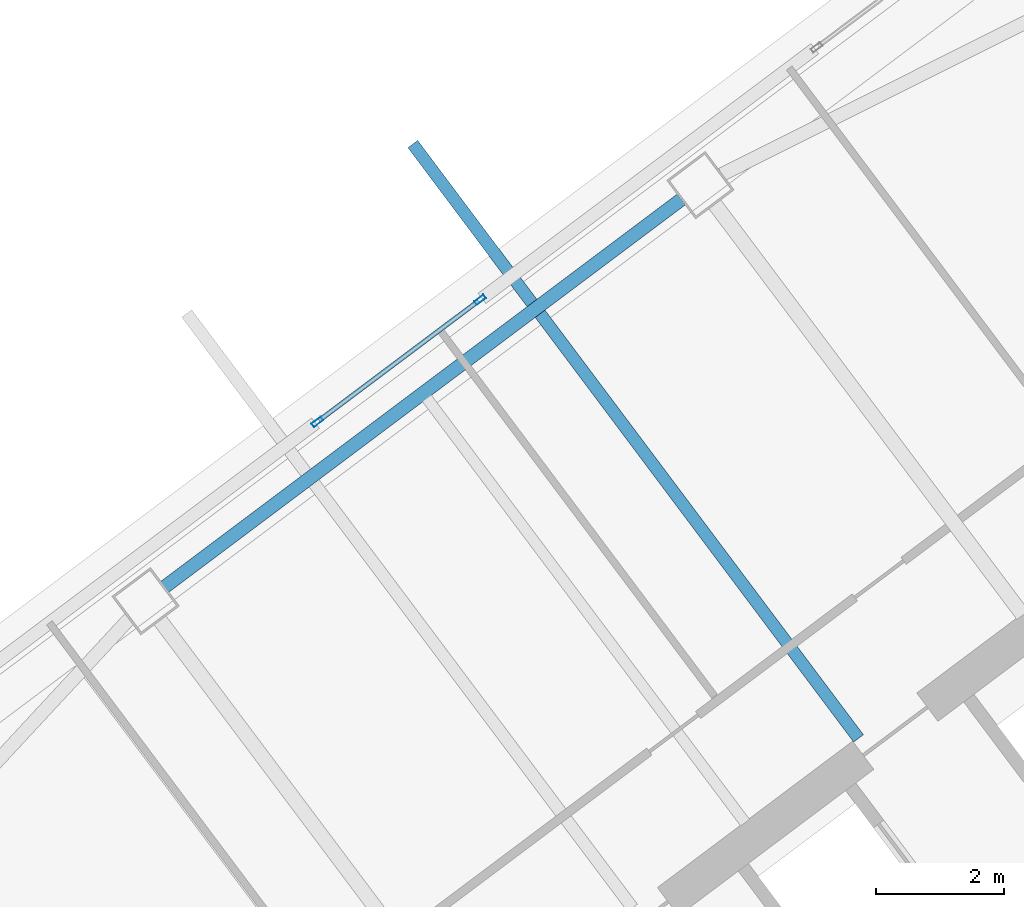
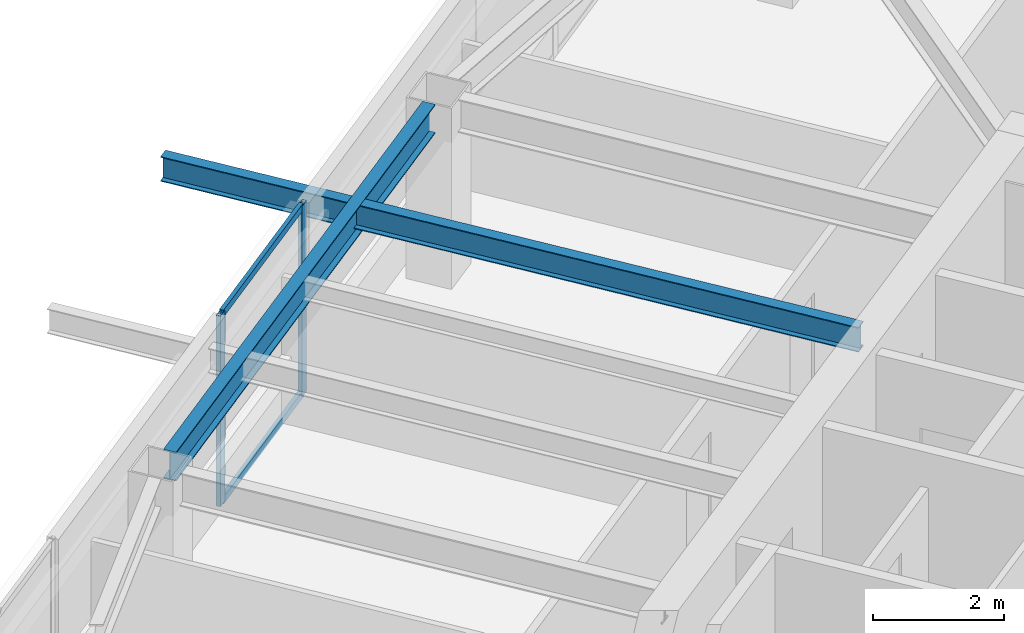
# One storey, part 28 of 43: 4 members, 2 beams, 1 element without a shape of its own.
"""IFC4 building model written with IfcOpenShell, lengths in metres."""

from ifc_helpers import new_model, si_unit, direction, frame, origin, origin_2d, place, context, subcontext, project, spatial, hollow_rectangle, i_section, extrude, material, material_profile, profile_set, type_object, element, aggregate, save


model = new_model("IFC4")

# Units and contexts
model_context = context("Model", 3, precision=1e-05, world=origin(), true_north=direction((0.0, 1.0)))
body_context = subcontext(model_context, "Body", "Model", "MODEL_VIEW")
ifc_project = project(units=[si_unit("LENGTHUNIT", "METRE"), si_unit("AREAUNIT", "SQUARE_METRE"), si_unit("VOLUMEUNIT", "CUBIC_METRE"), si_unit("PLANEANGLEUNIT", "RADIAN"), si_unit("MASSUNIT", "GRAM", prefix="KILO")], contexts=[model_context])

# Site, building, storey
site_placement = place(None, origin())
site = spatial("IfcSite", under=ifc_project, at=site_placement, CompositionType="ELEMENT")
building_placement = place(site_placement, origin())
building = spatial("IfcBuilding", under=site, at=building_placement, Name="Tashvorn Skyway Center", CompositionType="ELEMENT")
storey_placement = place(building_placement, frame((0.0, 0.0, 185.39990234375)))
storey = spatial("IfcBuildingStorey", under=building, at=storey_placement, Name="L50", CompositionType="ELEMENT", Elevation=185.39990234375)

# Beams
ifc_material_1 = material(Name="Steel ASTM A992 Grade 50", Category="steel")
ifc_material_profile_1 = material_profile(ifc_material_1, i_section(OverallWidth=0.19091796875, OverallDepth=0.4599609375, WebThickness=0.010009765625, FlangeThickness=0.01611328125, at=origin_2d()), Name="W18X55")
ifc_profile_set_1 = profile_set([ifc_material_profile_1], Name="Steel ASTM A992 Grade 50")
beam_type_1 = type_object("IfcBeamType", Name="BM-JOIST-W18X55", PredefinedType="JOIST", material=ifc_profile_set_1)
beam_1_placement = place(storey_placement, frame((111.092041015625, 39.5439453125, 3.14013671875), z_axis=(-0.600003376135, 0.799997467888, 0.0), x_axis=(-0.799997467888, -0.600003376135, 0.0)))
element("IfcBeam", 1, at=beam_1_placement, inside=storey, type_object=beam_type_1, Name="Tower 2 L51 Terrace Cantilever Outlooker 2", PredefinedType="JOIST", context=body_context, shape_type="SweptSolid", body=[
    extrude(i_section(OverallWidth=0.19091796875, OverallDepth=0.4599609375, WebThickness=0.010009765625, FlangeThickness=0.01611328125, at=origin_2d()), origin(), (0.0, 0.0, 1.0), 11.570068359375),
])
ifc_material_profile_2 = material_profile(ifc_material_1, i_section(OverallWidth=0.2109375, OverallDepth=0.5390625, WebThickness=0.01171875, FlangeThickness=0.018798828125, at=origin_2d()), Name="W21X73")
ifc_profile_set_2 = profile_set([ifc_material_profile_2], Name="Steel ASTM A992 Grade 50")
beam_type_2 = type_object("IfcBeamType", Name="BM-SPANDREL-W21X73", PredefinedType="SPANDREL", material=ifc_profile_set_2)
beam_2_placement = place(storey_placement, frame((108.333984375, 47.93798828125, 3.1005859375), z_axis=(-0.800008736549, -0.599988351091, 0.0), x_axis=(0.599988351091, -0.800008736549, 0.0)))
element("IfcBeam", 2, at=beam_2_placement, inside=storey, type_object=beam_type_2, Name="Tower 2 L50 Spandrel Beam 08", PredefinedType="SPANDREL", context=body_context, shape_type="SweptSolid", body=[
    extrude(i_section(OverallWidth=0.2109375, OverallDepth=0.5390625, WebThickness=0.01171875, FlangeThickness=0.018798828125, at=origin_2d()), origin(), (0.0, 0.0, 1.0), 10.06005859375),
])

# Curtain wall, members
ifc_material_2 = material(Name="Thermally broken bronze-anodized aluminium 6063-T6", Category="aluminium")
curtain_wall_type = type_object("IfcCurtainWallType", Name="CW-CW-Z4", PredefinedType="NOTDEFINED", material=ifc_material_2)
curtain_wall_placement = place(storey_placement, origin())
curtain_wall = element("IfcCurtainWall", 3, at=curtain_wall_placement, inside=storey, type_object=curtain_wall_type, Name="Tower 2 L50 North Unitised Curtain Wall Glazing Group 2", PredefinedType="NOTDEFINED")
ifc_material_profile_3 = material_profile(ifc_material_2, hollow_rectangle(XDim=0.070068359375, YDim=0.179931640625, WallThickness=0.00390625, at=origin_2d()), Name="ALU-MULL-70x180")
ifc_profile_set_3 = profile_set([ifc_material_profile_3], Name="Thermally broken bronze-anodized aluminium 6063-T6")
member_type_1 = type_object("IfcMemberType", Name="CWM-CW-Z4", PredefinedType="MULLION", material=ifc_profile_set_3)
member_1_placement = place(storey_placement, frame((102.6640625, 44.472900390625, 0.0), z_axis=(0.0, 0.0, 1.0), x_axis=(-0.600000000002, 0.799999999998, 0.0)))
member_1 = element("IfcMember", 4, at=member_1_placement, type_object=member_type_1, Name="CW-Z4 mullion 1", PredefinedType="MULLION", context=body_context, shape_type="SweptSolid", body=[
    extrude(hollow_rectangle(XDim=0.070068359375, YDim=0.179931640625, WallThickness=0.00390625, at=origin_2d()), origin(), (0.0, 0.0, 1.0), 3.550048828125),
])
member_2_placement = place(storey_placement, frame((105.199951171875, 46.375, 0.0), z_axis=(0.0, 0.0, 1.0), x_axis=(-0.600000000002, 0.799999999998, 0.0)))
member_2 = element("IfcMember", 5, at=member_2_placement, type_object=member_type_1, Name="CW-Z4 mullion 2", PredefinedType="MULLION", context=body_context, shape_type="SweptSolid", body=[
    extrude(hollow_rectangle(XDim=0.070068359375, YDim=0.179931640625, WallThickness=0.00390625, at=origin_2d()), origin(), (0.0, 0.0, 1.0), 3.550048828125),
])
ifc_material_profile_4 = material_profile(ifc_material_2, hollow_rectangle(XDim=0.070068359375, YDim=0.1298828125, WallThickness=0.00390625, at=origin_2d()), Name="ALU-TRAN-70x130")
ifc_profile_set_4 = profile_set([ifc_material_profile_4], Name="Thermally broken bronze-anodized aluminium 6063-T6")
member_type_2 = type_object("IfcMemberType", Name="CWT-CW-Z4", PredefinedType="USERDEFINED", material=ifc_profile_set_4)
member_3_placement = place(storey_placement, frame((102.69189453125, 44.493896484375, 0.03515625), z_axis=(0.800009449761, 0.599987400111, 0.0), x_axis=(-0.599987400111, 0.800009449761, 0.0)))
member_3 = element("IfcMember", 6, at=member_3_placement, type_object=member_type_2, Name="CW-Z4 transom 1.1", ObjectType="TRANSOM", PredefinedType="USERDEFINED", context=body_context, shape_type="SweptSolid", body=[
    extrude(hollow_rectangle(XDim=0.070068359375, YDim=0.1298828125, WallThickness=0.00390625, at=origin_2d()), origin(), (0.0, 0.0, 1.0), 3.100341796875),
])
member_4_placement = place(storey_placement, frame((102.69189453125, 44.493896484375, 3.51513671875), z_axis=(0.800009449761, 0.599987400111, 0.0), x_axis=(-0.599987400111, 0.800009449761, 0.0)))
member_4 = element("IfcMember", 7, at=member_4_placement, type_object=member_type_2, Name="CW-Z4 transom 1.2", ObjectType="TRANSOM", PredefinedType="USERDEFINED", context=body_context, shape_type="SweptSolid", body=[
    extrude(hollow_rectangle(XDim=0.070068359375, YDim=0.1298828125, WallThickness=0.00390625, at=origin_2d()), origin(), (0.0, 0.0, 1.0), 3.100341796875),
])
aggregate(curtain_wall, [member_1, member_2, member_3, member_4])

save(model, "model.ifc")
